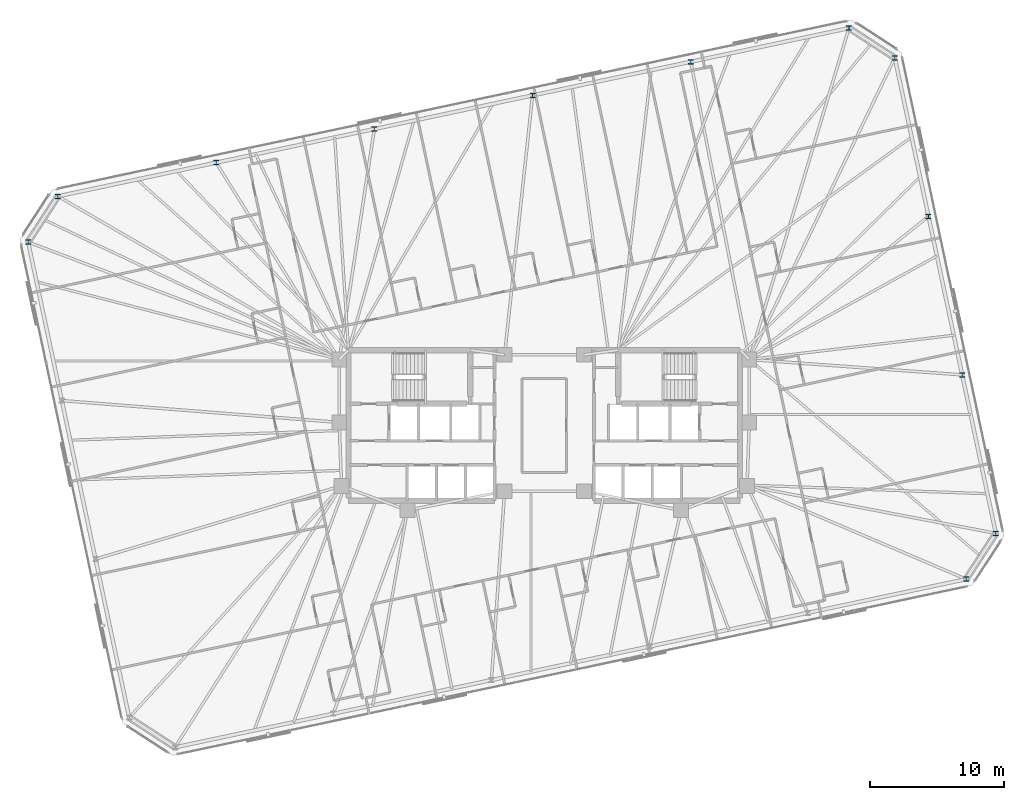
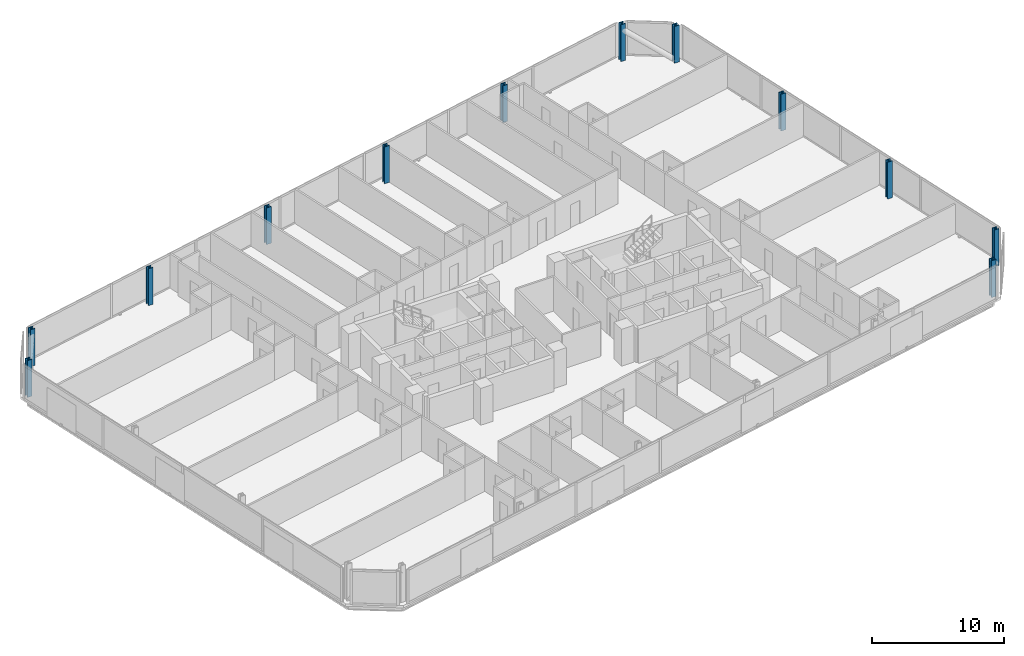
# One storey, part 5 of 20: 12 columns.
"""IFC4 building model written with IfcOpenShell, lengths in metres."""

from ifc_helpers import new_model, si_unit, direction, frame, origin, origin_2d, place, context, subcontext, project, spatial, i_section, extrude, material, material_profile, profile_set, type_object, element, save


model = new_model("IFC4")

# Units and contexts
model_context = context("Model", 3, precision=1e-05, world=origin(), true_north=direction((0.0, 1.0)))
body_context = subcontext(model_context, "Body", "Model", "MODEL_VIEW")
ifc_project = project(units=[si_unit("LENGTHUNIT", "METRE"), si_unit("AREAUNIT", "SQUARE_METRE"), si_unit("VOLUMEUNIT", "CUBIC_METRE"), si_unit("PLANEANGLEUNIT", "RADIAN"), si_unit("MASSUNIT", "GRAM", prefix="KILO")], contexts=[model_context])

# Site, building, storey
site_placement = place(None, origin())
site = spatial("IfcSite", under=ifc_project, at=site_placement, CompositionType="ELEMENT")
building_placement = place(site_placement, origin())
building = spatial("IfcBuilding", under=site, at=building_placement, Name="Menara Jurai Vektor", CompositionType="ELEMENT")
storey_placement = place(building_placement, frame((0.0, 0.0, 185.39990234375)))
storey = spatial("IfcBuildingStorey", under=building, at=storey_placement, Name="L48", CompositionType="ELEMENT", Elevation=185.39990234375)

# Columns
ifc_material = material(Name="Steel S460", Category="steel")
ifc_material_profile = material_profile(ifc_material, i_section(OverallWidth=0.408935546875, OverallDepth=0.3740234375, WebThickness=0.048095703125, FlangeThickness=0.076904296875, FilletRadius=0.014892578125, at=origin_2d()), Name="HD 400x634")
ifc_profile_set = profile_set([ifc_material_profile], Name="Steel S460")
column_type = type_object("IfcColumnType", Name="STR-EXO-BLK3", PredefinedType="COLUMN", material=ifc_profile_set)
for number, where, z_axis, x_axis, name in (
    (1, (31.376220703125, -11.438720703125, 0.0), (0.0, 0.0, 1.0), (1.0, 0.0, 0.0), "Exoskeleton Column BLK3-S6 L48"),
    (2, (33.588623046875, -8.031982421875, 0.0), (0.0, 0.0, 1.0), (1.0, 0.0, 0.0), "Exoskeleton Column BLK3-E1 L48"),
    (3, (31.082763671875, 3.75634765625, 0.0), (0.0, 0.0, 1.0), (1.0, 0.0, 0.0), "Exoskeleton Column BLK3-E2 L48"),
    (4, (28.5771484375, 15.544921875, 0.0), (0.0, 0.0, 1.0), (1.0, 0.0, 0.0), "Exoskeleton Column BLK3-E3 L48"),
    (5, (26.0712890625, 27.33349609375, 0.0), (0.0, 0.0, 1.0), (1.0, 0.0, 0.0), "Exoskeleton Column BLK3-E4 L48"),
    (6, (22.664794921875, 29.545654296875, 0.0), (0.0, 0.0, 1.0), (1.0, 0.0, 0.0), "Exoskeleton Column BLK3-N1 L48"),
    (7, (10.896484375, 27.044189453125, 0.0), (0.0, 0.0, 1.0), (1.0, 0.0, 0.0), "Exoskeleton Column BLK3-N2 L48"),
    (8, (-0.87158203125, 24.54296875, 0.0), (0.0, 0.0, 1.0), (1.0, 0.0, 0.0), "Exoskeleton Column BLK3-N3 L48"),
    (9, (-12.639892578125, 22.04150390625, 0.0), (0.0, 0.0, 1.0), (1.0, 0.0, 0.0), "Exoskeleton Column BLK3-N4 L48"),
    (10, (-24.407958984375, 19.5400390625, 0.0), (0.0, 0.0, 1.0), (1.0, 0.0, 0.0), "Exoskeleton Column BLK3-N5 L48"),
    (11, (-36.17626953125, 17.03857421875, 0.0), (0.0, 0.0, 1.0), (1.0, 0.0, 0.0), "Exoskeleton Column BLK3-N6 L48"),
    (12, (-38.388671875, 13.632080078125, 0.0), (0.0, 0.0, 1.0), (1.0, 0.0, 0.0), "Exoskeleton Column BLK3-W1 L48"),
):
    element("IfcColumn", number, at=place(storey_placement, frame(where, z_axis=z_axis, x_axis=x_axis)), inside=storey, type_object=column_type, Name=name, PredefinedType="COLUMN", context=body_context, shape_type="SweptSolid", body=[
        extrude(i_section(OverallWidth=0.408935546875, OverallDepth=0.3740234375, WebThickness=0.048095703125, FlangeThickness=0.076904296875, FilletRadius=0.014892578125, at=origin_2d()), origin(), (0.0, 0.0, 1.0), 3.400146484375),
    ])

save(model, "model.ifc")
